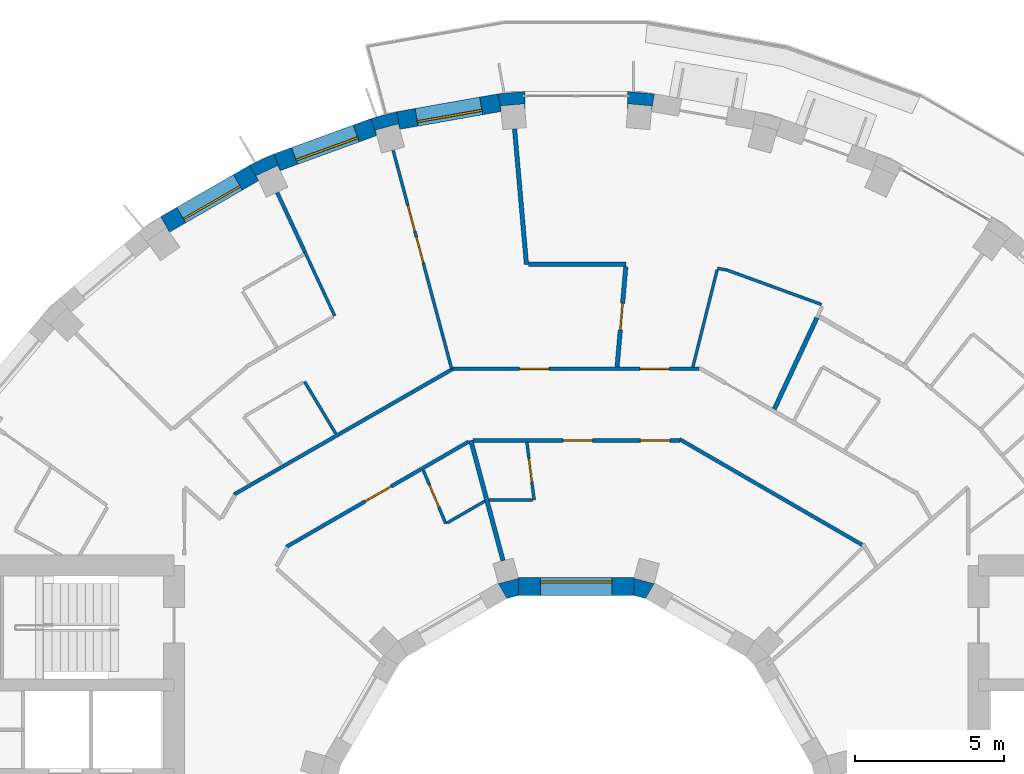
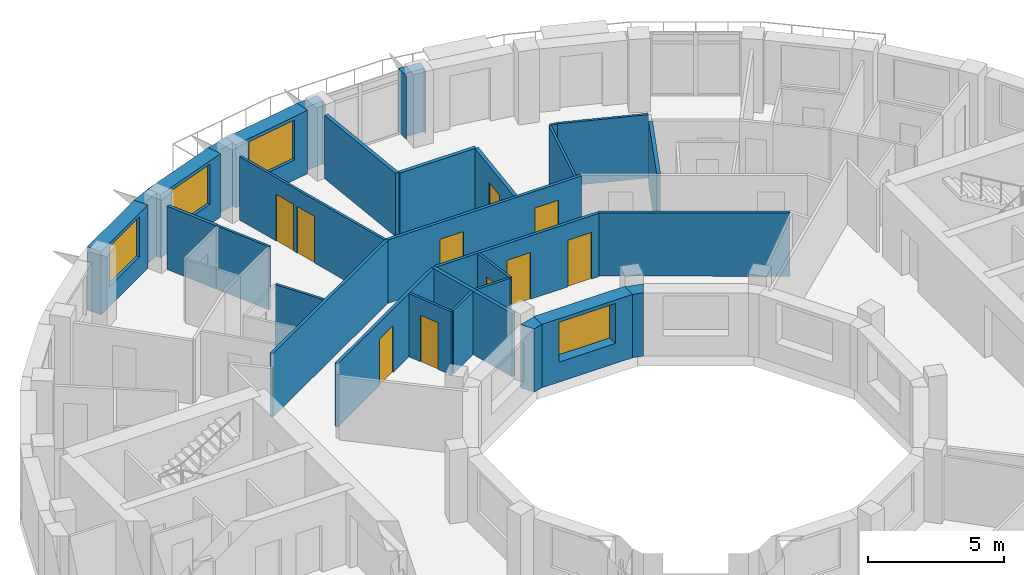
# One storey, part 10 of 13: 31 walls, 10 doors, 4 windows, 14 openings.
"""IFC4 building model written with IfcOpenShell, lengths in metres."""

from ifc_helpers import new_model, si_unit, direction, frame, frame_2d, origin, place, context, subcontext, project, spatial, polyline, rectangle, outline, extrude, material, layer, layer_set, type_object, element, fill, save


model = new_model("IFC4")

# Units and contexts
model_context = context("Model", 3, precision=1e-05, world=origin(), true_north=direction((0.0, 1.0)))
body_context = subcontext(model_context, "Body", "Model", "MODEL_VIEW")
ifc_project = project(units=[si_unit("LENGTHUNIT", "METRE"), si_unit("AREAUNIT", "SQUARE_METRE"), si_unit("VOLUMEUNIT", "CUBIC_METRE"), si_unit("PLANEANGLEUNIT", "RADIAN"), si_unit("MASSUNIT", "GRAM", prefix="KILO")], contexts=[model_context])

# Site, building, storey
site_placement = place(None, origin())
site = spatial("IfcSite", under=ifc_project, at=site_placement, CompositionType="ELEMENT")
building_placement = place(site_placement, origin())
building = spatial("IfcBuilding", under=site, at=building_placement, Name="Saqina Gate Tower", CompositionType="ELEMENT")
storey_placement = place(building_placement, frame((0.0, 0.0, 207.0)))
storey = spatial("IfcBuildingStorey", under=building, at=storey_placement, Name="L59", CompositionType="ELEMENT", Elevation=207.0)

# Walls
ifc_material_1 = material(Name="Brick masonry (buff)", Category="masonry")
wall_type_1 = type_object("IfcWallType", Name="BRICK PIER COPING BUFF", PredefinedType="SOLIDWALL", material=ifc_material_1)
wall_1_placement = place(storey_placement, origin())
element("IfcWall", 1, at=wall_1_placement, inside=storey, type_object=wall_type_1, Name="Pier cap L59 column 9", PredefinedType="SOLIDWALL", context=body_context, shape_type="SweptSolid", body=[
    extrude(outline(polyline([(2.6259765625, 24.825927734375), (1.724853515625, 24.90478515625), (1.724853515625, 24.304931640625), (1.7412109375, 24.491455078125), (2.5380859375, 24.421630859375), (2.521728515625, 24.235107421875), (2.6259765625, 24.825927734375)])), origin(), (0.0, 0.0, 1.0), 2.85009765625),
])
wall_2_placement = place(storey_placement, origin())
element("IfcWall", 2, at=wall_2_placement, inside=storey, type_object=wall_type_1, Name="Pier cap L59 column 10", PredefinedType="SOLIDWALL", context=body_context, shape_type="SweptSolid", body=[
    extrude(outline(polyline([(-1.724853515625, 24.90478515625), (-2.6259765625, 24.825927734375), (-2.521728515625, 24.235107421875), (-2.5380859375, 24.421630859375), (-1.7412109375, 24.491455078125), (-1.724853515625, 24.304931640625), (-1.724853515625, 24.90478515625)])), origin(), (0.0, 0.0, 1.0), 2.85009765625),
])
wall_3_placement = place(storey_placement, origin())
element("IfcWall", 3, at=wall_3_placement, inside=storey, type_object=wall_type_1, Name="Pier cap L59 column 11", PredefinedType="SOLIDWALL", context=body_context, shape_type="SweptSolid", body=[
    extrude(outline(polyline([(-6.0234375, 24.22705078125), (-6.897216796875, 23.992919921875), (-6.69189453125, 23.428955078125), (-6.740478515625, 23.610107421875), (-5.967529296875, 23.81689453125), (-5.919189453125, 23.635986328125), (-6.0234375, 24.22705078125)])), origin(), (0.0, 0.0, 1.0), 2.85009765625),
])
wall_4_placement = place(storey_placement, origin())
element("IfcWall", 4, at=wall_4_placement, inside=storey, type_object=wall_type_1, Name="Pier cap L59 column 12", PredefinedType="SOLIDWALL", context=body_context, shape_type="SweptSolid", body=[
    extrude(outline(polyline([(-10.958740234375, 22.4306640625), (-10.65869140625, 21.9111328125), (-10.73779296875, 22.080810546875), (-10.0126953125, 22.4189453125), (-9.93359375, 22.249267578125), (-10.138916015625, 22.81298828125), (-10.958740234375, 22.4306640625)])), origin(), (0.0, 0.0, 1.0), 2.85009765625),
])

# Wall, opening, window
ifc_material_2 = material(Name="Brick masonry (buff)", Category="masonry")
ifc_layer_1 = layer(ifc_material_2, 0.60009765625)
ifc_layer_set_1 = layer_set([ifc_layer_1], Name="FW-BRICK-BUFF")
wall_type_2 = type_object("IfcWallType", Name="FW-BRICK-BUFF", PredefinedType="SOLIDWALL", material=ifc_layer_set_1)
wall_5_placement = place(storey_placement, frame((-2.573974609375, 24.530517578125, 0.0), z_axis=(0.0, 0.0, 1.0), x_axis=(-0.984814892183, -0.173607684551, 0.0)))
wall_5 = element("IfcWall", 5, at=wall_5_placement, inside=storey, type_object=wall_type_2, Name="Facade wall L59 facet 10", PredefinedType="SOLIDWALL", context=body_context, shape_type="SweptSolid", body=[
    extrude(rectangle(XDim=3.44970703125, YDim=0.60009765625, at=frame_2d((1.724853515625, 0.0))), origin(), (0.0, 0.0, 1.0), 2.85009765625),
])
opening_1_placement = place(wall_5_placement, frame((0.625, 0.0, 0.89990234375)))
opening_1 = element("IfcOpeningElement", 6, at=opening_1_placement, cuts=wall_5, Name="Opening G17-W04", PredefinedType="OPENING", context=body_context, shape_type="SweptSolid", body=[
    extrude(rectangle(XDim=2.199951171875, YDim=1.800048828125, at=frame_2d((1.10009765625, 0.89990234375))), frame((0.0, 0.31201171875, 0.0), z_axis=(0.0, -1.0, 0.0), x_axis=(1.0, 0.0, 0.0)), (0.0, 0.0, 1.0), 0.6240234375),
])
ifc_material_3 = material(Name="Aluminium glazing", Category="aluminium")
window_type_1 = type_object("IfcWindowType", Name="WN-C", PartitioningType="SINGLE_PANEL", PredefinedType="WINDOW", material=ifc_material_3)
window_1_placement = place(opening_1_placement, origin())
window_1 = element("IfcWindow", 7, at=window_1_placement, inside=storey, type_object=window_type_1, Name="Window L59 facet 10", OverallHeight=1.800048828125, OverallWidth=2.199951171875, PartitioningType="SINGLE_PANEL", PredefinedType="WINDOW", context=body_context, shape_type="SweptSolid", body=[
    extrude(rectangle(XDim=2.199951171875, YDim=1.800048828125, at=frame_2d((1.10009765625, 0.89990234375))), frame((0.0, 0.179931640625, 0.0), z_axis=(0.0, -1.0, 0.0), x_axis=(1.0, 0.0, 0.0)), (0.0, 0.0, 1.0), 0.06005859375),
])
fill(opening_1, window_1)

wall_6_placement = place(storey_placement, frame((-6.79443359375, 23.7109375, 0.0), z_axis=(0.0, 0.0, 1.0), x_axis=(-0.93968799822, -0.342032843455, 0.0)))
wall_6 = element("IfcWall", 8, at=wall_6_placement, inside=storey, type_object=wall_type_2, Name="Facade wall L59 facet 11", PredefinedType="SOLIDWALL", context=body_context, shape_type="SweptSolid", body=[
    extrude(rectangle(XDim=3.44970703125, YDim=0.60009765625, at=frame_2d((1.724853515625, 0.0))), origin(), (0.0, 0.0, 1.0), 2.85009765625),
])
opening_2_placement = place(wall_6_placement, frame((0.625, 0.0, 0.89990234375)))
opening_2 = element("IfcOpeningElement", 9, at=opening_2_placement, cuts=wall_6, Name="Opening G17-W05", PredefinedType="OPENING", context=body_context, shape_type="SweptSolid", body=[
    extrude(rectangle(XDim=2.199951171875, YDim=1.800048828125, at=frame_2d((1.10009765625, 0.89990234375))), frame((0.0, 0.31201171875, 0.0), z_axis=(0.0, -1.0, 0.0), x_axis=(1.0, 0.0, 0.0)), (0.0, 0.0, 1.0), 0.6240234375),
])
window_2_placement = place(opening_2_placement, origin())
window_2 = element("IfcWindow", 10, at=window_2_placement, inside=storey, type_object=window_type_1, Name="Window L59 facet 11", OverallHeight=1.800048828125, OverallWidth=2.199951171875, PartitioningType="SINGLE_PANEL", PredefinedType="WINDOW", context=body_context, shape_type="SweptSolid", body=[
    extrude(rectangle(XDim=2.199951171875, YDim=1.800048828125, at=frame_2d((1.10009765625, 0.89990234375))), frame((0.0, 0.179931640625, 0.0), z_axis=(0.0, -1.0, 0.0), x_axis=(1.0, 0.0, 0.0)), (0.0, 0.0, 1.0), 0.06005859375),
])
fill(opening_2, window_2)

wall_7_placement = place(storey_placement, frame((-10.80859375, 22.1708984375, 0.0), z_axis=(0.0, 0.0, 1.0), x_axis=(-0.86602648383, -0.499998129301, 0.0)))
wall_7 = element("IfcWall", 11, at=wall_7_placement, inside=storey, type_object=wall_type_2, Name="Facade wall L59 facet 12", PredefinedType="SOLIDWALL", context=body_context, shape_type="SweptSolid", body=[
    extrude(rectangle(XDim=3.44970703125, YDim=0.60009765625, at=frame_2d((1.724853515625, 0.0))), origin(), (0.0, 0.0, 1.0), 2.85009765625),
])
opening_3_placement = place(wall_7_placement, frame((0.625, 0.0, 0.89990234375)))
opening_3 = element("IfcOpeningElement", 12, at=opening_3_placement, cuts=wall_7, Name="Opening G17-W06", PredefinedType="OPENING", context=body_context, shape_type="SweptSolid", body=[
    extrude(rectangle(XDim=2.199951171875, YDim=1.800048828125, at=frame_2d((1.10009765625, 0.89990234375))), frame((0.0, 0.31201171875, 0.0), z_axis=(0.0, -1.0, 0.0), x_axis=(1.0, 0.0, 0.0)), (0.0, 0.0, 1.0), 0.6240234375),
])
window_3_placement = place(opening_3_placement, origin())
window_3 = element("IfcWindow", 13, at=window_3_placement, inside=storey, type_object=window_type_1, Name="Window L59 facet 12", OverallHeight=1.800048828125, OverallWidth=2.199951171875, PartitioningType="SINGLE_PANEL", PredefinedType="WINDOW", context=body_context, shape_type="SweptSolid", body=[
    extrude(rectangle(XDim=2.199951171875, YDim=1.800048828125, at=frame_2d((1.10009765625, 0.89990234375))), frame((0.0, 0.179931640625, 0.0), z_axis=(0.0, -1.0, 0.0), x_axis=(1.0, 0.0, 0.0)), (0.0, 0.0, 1.0), 0.06005859375),
])
fill(opening_3, window_3)

ifc_material_4 = material(Name="Glazed ceramic tile", Category="ceramic")
ifc_layer_2 = layer(ifc_material_4, 0.60009765625)
ifc_layer_set_2 = layer_set([ifc_layer_2], Name="IW-TILE")
wall_type_3 = type_object("IfcWallType", Name="IW-TILE", PredefinedType="SOLIDWALL", material=ifc_layer_set_2)
wall_8_placement = place(storey_placement, frame((1.934814453125, 8.300048828125, 0.0), z_axis=(0.0, 0.0, 1.0), x_axis=(-1.0, 0.0, 0.0)))
wall_8 = element("IfcWall", 14, at=wall_8_placement, inside=storey, type_object=wall_type_3, Name="Well wall L59 facet 3", PredefinedType="SOLIDWALL", context=body_context, shape_type="SweptSolid", body=[
    extrude(rectangle(XDim=3.86962890625, YDim=0.60009765625, at=frame_2d((1.934814453125, 0.0))), origin(), (0.0, 0.0, 1.0), 2.85009765625),
])
opening_4_placement = place(wall_8_placement, frame((0.73486328125, 0.0, 0.89990234375)))
opening_4 = element("IfcOpeningElement", 15, at=opening_4_placement, cuts=wall_8, Name="Opening G17-W25", PredefinedType="OPENING", context=body_context, shape_type="SweptSolid", body=[
    extrude(rectangle(XDim=2.39990234375, YDim=1.800048828125, at=frame_2d((1.199951171875, 0.89990234375))), frame((0.0, 0.31201171875, 0.0), z_axis=(0.0, -1.0, 0.0), x_axis=(1.0, 0.0, 0.0)), (0.0, 0.0, 1.0), 0.6240234375),
])
ifc_material_5 = material(Name="Aluminium glazing", Category="aluminium")
window_type_2 = type_object("IfcWindowType", Name="WN-W", PartitioningType="SINGLE_PANEL", PredefinedType="WINDOW", material=ifc_material_5)
window_4_placement = place(opening_4_placement, origin())
window_4 = element("IfcWindow", 16, at=window_4_placement, inside=storey, type_object=window_type_2, Name="Well window L59 facet 3", OverallHeight=1.800048828125, OverallWidth=2.39990234375, PartitioningType="SINGLE_PANEL", PredefinedType="WINDOW", context=body_context, shape_type="SweptSolid", body=[
    extrude(rectangle(XDim=2.39990234375, YDim=1.800048828125, at=frame_2d((1.199951171875, 0.89990234375))), frame((0.0, -0.119873046875, 0.0), z_axis=(0.0, -1.0, 0.0), x_axis=(1.0, 0.0, 0.0)), (0.0, 0.0, 1.0), 0.06005859375),
])
fill(opening_4, window_4)

# Wall, opening, door
ifc_material_6 = material(Name="Gypsum board on steel studs, 100 mm", Category="steel")
ifc_layer_3 = layer(ifc_material_6, 0.10009765625)
ifc_layer_set_3 = layer_set([ifc_layer_3], Name="PARTITION 100")
wall_type_4 = type_object("IfcWallType", Name="PARTITION 100", PredefinedType="PARTITIONING", material=ifc_layer_set_3)
wall_9_placement = place(storey_placement, frame((-1.65625, 13.137939453125, 0.0), z_axis=(0.0, 0.0, 1.0), x_axis=(0.124988435199, -0.992158198609, 0.0)))
wall_9 = element("IfcWall", 17, at=wall_9_placement, inside=storey, type_object=wall_type_4, Name="PARTITION PW3-02", PredefinedType="PARTITIONING", context=body_context, shape_type="SweptSolid", body=[
    extrude(rectangle(XDim=1.953369140625, YDim=0.10009765625, at=frame_2d((0.9765625, 0.0))), origin(), (0.0, 0.0, 1.0), 2.85009765625),
])
opening_5_placement = place(wall_9_placement, frame((0.54541015625, 0.0, 0.0)))
opening_5 = element("IfcOpeningElement", 18, at=opening_5_placement, cuts=wall_9, Name="Opening G17-D15", PredefinedType="OPENING", context=body_context, shape_type="SweptSolid", body=[
    extrude(rectangle(XDim=0.800048828125, YDim=2.10009765625, at=frame_2d((0.39990234375, 1.050048828125))), frame((0.0, 0.06201171875, 0.0), z_axis=(0.0, -1.0, 0.0), x_axis=(1.0, 0.0, 0.0)), (0.0, 0.0, 1.0), 0.1240234375),
])
ifc_material_7 = material(Name="Timber door leaf, 800 mm", Category="wood")
door_type_1 = type_object("IfcDoorType", Name="DOOR 800 TIMBER", OperationType="SINGLE_SWING_LEFT", PredefinedType="DOOR", material=ifc_material_7)
door_1_placement = place(opening_5_placement, origin())
door_1 = element("IfcDoor", 19, at=door_1_placement, inside=storey, type_object=door_type_1, Name="DOOR G17-D15", OperationType="SINGLE_SWING_LEFT", OverallHeight=2.10009765625, OverallWidth=0.800048828125, PredefinedType="DOOR", context=body_context, shape_type="SweptSolid", body=[
    extrude(rectangle(XDim=0.800048828125, YDim=2.10009765625, at=frame_2d((0.39990234375, 1.050048828125))), frame((0.0, 0.02490234375, 0.0), z_axis=(0.0, -1.0, 0.0), x_axis=(1.0, 0.0, 0.0)), (0.0, 0.0, 1.0), 0.050048828125),
])
fill(opening_5, door_1)

# Wall, openings, doors
wall_10_placement = place(storey_placement, frame((-6.14404296875, 22.93115234375, 0.0), z_axis=(0.0, 0.0, 1.0), x_axis=(0.258789681819, -0.965933693679, 0.0)))
wall_10 = element("IfcWall", 20, at=wall_10_placement, inside=storey, type_object=wall_type_4, Name="PARTITION PW3-03", PredefinedType="PARTITIONING", context=body_context, shape_type="SweptSolid", body=[
    extrude(rectangle(XDim=7.589599609375, YDim=0.10009765625, at=frame_2d((3.794921875, 0.0))), origin(), (0.0, 0.0, 1.0), 2.85009765625),
])
opening_6_placement = place(wall_10_placement, frame((3.016357421875, 0.0, 0.0)))
opening_6 = element("IfcOpeningElement", 21, at=opening_6_placement, cuts=wall_10, Name="Opening G17-D16", PredefinedType="OPENING", context=body_context, shape_type="SweptSolid", body=[
    extrude(rectangle(XDim=0.89990234375, YDim=2.10009765625, at=frame_2d((0.449951171875, 1.050048828125))), frame((0.0, 0.06201171875, 0.0), z_axis=(0.0, -1.0, 0.0), x_axis=(1.0, 0.0, 0.0)), (0.0, 0.0, 1.0), 0.1240234375),
])
opening_7_placement = place(wall_10_placement, frame((1.916259765625, 0.0, 0.0)))
opening_7 = element("IfcOpeningElement", 22, at=opening_7_placement, cuts=wall_10, Name="Opening G17-D17", PredefinedType="OPENING", context=body_context, shape_type="SweptSolid", body=[
    extrude(rectangle(XDim=0.89990234375, YDim=2.10009765625, at=frame_2d((0.449951171875, 1.050048828125))), frame((0.0, 0.06201171875, 0.0), z_axis=(0.0, -1.0, 0.0), x_axis=(1.0, 0.0, 0.0)), (0.0, 0.0, 1.0), 0.1240234375),
])
ifc_material_8 = material(Name="Timber door leaf, 900 mm", Category="wood")
door_type_2 = type_object("IfcDoorType", Name="DOOR 900 TIMBER", OperationType="SINGLE_SWING_LEFT", PredefinedType="DOOR", material=ifc_material_8)
door_2_placement = place(opening_6_placement, frame((0.89990234375, 0.0, 0.0), z_axis=(0.0, 0.0, 1.0), x_axis=(-1.0, 0.0, 0.0)))
door_2 = element("IfcDoor", 23, at=door_2_placement, inside=storey, type_object=door_type_2, Name="DOOR G17-D16", OperationType="SINGLE_SWING_RIGHT", OverallHeight=2.10009765625, OverallWidth=0.89990234375, PredefinedType="DOOR", context=body_context, shape_type="SweptSolid", body=[
    extrude(rectangle(XDim=0.89990234375, YDim=2.10009765625, at=frame_2d((0.449951171875, 1.050048828125))), frame((0.0, 0.02490234375, 0.0), z_axis=(0.0, -1.0, 0.0), x_axis=(1.0, 0.0, 0.0)), (0.0, 0.0, 1.0), 0.050048828125),
])
fill(opening_6, door_2)
door_3_placement = place(opening_7_placement, frame((0.89990234375, 0.0, 0.0), z_axis=(0.0, 0.0, 1.0), x_axis=(-1.0, 0.0, 0.0)))
door_3 = element("IfcDoor", 24, at=door_3_placement, inside=storey, type_object=door_type_2, Name="DOOR G17-D17", OperationType="SINGLE_SWING_RIGHT", OverallHeight=2.10009765625, OverallWidth=0.89990234375, PredefinedType="DOOR", context=body_context, shape_type="SweptSolid", body=[
    extrude(rectangle(XDim=0.89990234375, YDim=2.10009765625, at=frame_2d((0.449951171875, 1.050048828125))), frame((0.0, 0.02490234375, 0.0), z_axis=(0.0, -1.0, 0.0), x_axis=(1.0, 0.0, 0.0)), (0.0, 0.0, 1.0), 0.050048828125),
])
fill(opening_7, door_3)

# Wall, opening, door
wall_11_placement = place(storey_placement, frame((-5.134521484375, 12.2060546875, 0.0), z_axis=(0.0, 0.0, 1.0), x_axis=(0.387906100406, -0.921698897291, 0.0)))
wall_11 = element("IfcWall", 25, at=wall_11_placement, inside=storey, type_object=wall_type_4, Name="PARTITION PW3-06", PredefinedType="PARTITIONING", context=body_context, shape_type="SweptSolid", body=[
    extrude(rectangle(XDim=1.952880859375, YDim=0.10009765625, at=frame_2d((0.9765625, 0.0))), origin(), (0.0, 0.0, 1.0), 2.85009765625),
])
opening_8_placement = place(wall_11_placement, frame((0.544921875, 0.0, 0.0)))
opening_8 = element("IfcOpeningElement", 26, at=opening_8_placement, cuts=wall_11, Name="Opening G17-D18", PredefinedType="OPENING", context=body_context, shape_type="SweptSolid", body=[
    extrude(rectangle(XDim=0.800048828125, YDim=2.10009765625, at=frame_2d((0.39990234375, 1.050048828125))), frame((0.0, 0.06201171875, 0.0), z_axis=(0.0, -1.0, 0.0), x_axis=(1.0, 0.0, 0.0)), (0.0, 0.0, 1.0), 0.1240234375),
])
door_4_placement = place(opening_8_placement, frame((0.800048828125, 0.0, 0.0), z_axis=(0.0, 0.0, 1.0), x_axis=(-1.0, 0.0, 0.0)))
door_4 = element("IfcDoor", 27, at=door_4_placement, inside=storey, type_object=door_type_1, Name="DOOR G17-D18", OperationType="SINGLE_SWING_RIGHT", OverallHeight=2.10009765625, OverallWidth=0.800048828125, PredefinedType="DOOR", context=body_context, shape_type="SweptSolid", body=[
    extrude(rectangle(XDim=0.800048828125, YDim=2.10009765625, at=frame_2d((0.39990234375, 1.050048828125))), frame((0.0, 0.02490234375, 0.0), z_axis=(0.0, -1.0, 0.0), x_axis=(1.0, 0.0, 0.0)), (0.0, 0.0, 1.0), 0.050048828125),
])
fill(opening_8, door_4)

# Walls
wall_12_placement = place(storey_placement, frame((-9.1025390625, 19.51904296875, 0.0), z_axis=(0.0, 0.0, 1.0), x_axis=(0.422834478158, -0.906206932263, 0.0)))
element("IfcWall", 28, at=wall_12_placement, inside=storey, type_object=wall_type_4, Name="PARTITION PW3-08", PredefinedType="PARTITIONING", context=body_context, shape_type="SweptSolid", body=[
    extrude(rectangle(XDim=2.359130859375, YDim=0.10009765625, at=frame_2d((1.1796875, 0.0))), origin(), (0.0, 0.0, 1.0), 2.85009765625),
])
wall_13_placement = place(storey_placement, frame((-9.114990234375, 15.171142578125, 0.0), z_axis=(0.0, 0.0, 1.0), x_axis=(0.514495755428, -0.857492925713, 0.0)))
element("IfcWall", 29, at=wall_13_placement, inside=storey, type_object=wall_type_4, Name="PARTITION PW3-11", PredefinedType="PARTITIONING", context=body_context, shape_type="SweptSolid", body=[
    extrude(rectangle(XDim=2.031494140625, YDim=0.10009765625, at=frame_2d((1.015625, 0.0))), origin(), (0.0, 0.0, 1.0), 2.85009765625),
])
wall_14_placement = place(storey_placement, frame((5.020263671875, 18.9296875, 0.0), z_axis=(0.0, 0.0, 1.0), x_axis=(0.939619985891, -0.342219640165, 0.0)))
element("IfcWall", 30, at=wall_14_placement, inside=storey, type_object=wall_type_4, Name="PARTITION PW3-33", PredefinedType="PARTITIONING", context=body_context, shape_type="SweptSolid", body=[
    extrude(rectangle(XDim=3.41357421875, YDim=0.10009765625, at=frame_2d((1.706787109375, 0.0))), origin(), (0.0, 0.0, 1.0), 2.85009765625),
])
wall_15_placement = place(storey_placement, frame((4.739013671875, 18.97021484375, 0.0), z_axis=(0.0, 0.0, 1.0), x_axis=(0.984670903861, -0.174422507403, 0.0)))
element("IfcWall", 31, at=wall_15_placement, inside=storey, type_object=wall_type_4, Name="PARTITION PW3-34", PredefinedType="PARTITIONING", context=body_context, shape_type="SweptSolid", body=[
    extrude(rectangle(XDim=0.2841796875, YDim=0.10009765625, at=frame_2d((0.14208984375, 0.0))), origin(), (0.0, 0.0, 1.0), 2.85009765625),
])
wall_16_placement = place(storey_placement, frame((-2.926025390625, 11.199951171875, 0.0), z_axis=(0.0, 0.0, 1.0), x_axis=(1.0, 0.0, 0.0)))
element("IfcWall", 32, at=wall_16_placement, inside=storey, type_object=wall_type_4, Name="PARTITION PW3-38", PredefinedType="PARTITIONING", context=body_context, shape_type="SweptSolid", body=[
    extrude(rectangle(XDim=1.464111328125, YDim=0.10009765625, at=frame_2d((0.73193359375, 0.0))), origin(), (0.0, 0.0, 1.0), 2.85009765625),
])
wall_17_placement = place(storey_placement, frame((-4.333740234375, 10.430908203125, 0.0), z_axis=(0.0, 0.0, 1.0), x_axis=(0.866110606688, 0.499852395195, 0.0)))
element("IfcWall", 33, at=wall_17_placement, inside=storey, type_object=wall_type_4, Name="PARTITION PW3-43", PredefinedType="PARTITIONING", context=body_context, shape_type="SweptSolid", body=[
    extrude(rectangle(XDim=1.4638671875, YDim=0.10009765625, at=frame_2d((0.73193359375, 0.0))), origin(), (0.0, 0.0, 1.0), 2.85009765625),
])
wall_18_placement = place(storey_placement, frame((3.912109375, 15.66064453125, 0.0), z_axis=(0.0, 0.0, 1.0), x_axis=(0.24239884799, 0.970176684163, 0.0)))
element("IfcWall", 34, at=wall_18_placement, inside=storey, type_object=wall_type_4, Name="PARTITION PW3-65", PredefinedType="PARTITIONING", context=body_context, shape_type="SweptSolid", body=[
    extrude(rectangle(XDim=3.35986328125, YDim=0.10009765625, at=frame_2d((1.679931640625, 0.0))), origin(), (0.0, 0.0, 1.0), 2.85009765625),
])
ifc_material_9 = material(Name="Gypsum board on steel studs, 125 mm, fire rated", Category="steel")
ifc_layer_4 = layer(ifc_material_9, 0.125)
ifc_layer_set_4 = layer_set([ifc_layer_4], Name="PARTITION EI 30 125")
wall_type_5 = type_object("IfcWallType", Name="PARTITION EI 30 125", PredefinedType="PARTITIONING", material=ifc_layer_set_4)
wall_19_placement = place(storey_placement, frame((-10.033203125, 21.515625, 0.0), z_axis=(0.0, 0.0, 1.0), x_axis=(0.422709503006, -0.906265234944, 0.0)))
element("IfcWall", 35, at=wall_19_placement, inside=storey, type_object=wall_type_5, Name="PARTITION PW1-01", PredefinedType="PARTITIONING", context=body_context, shape_type="SweptSolid", body=[
    extrude(rectangle(XDim=2.202880859375, YDim=0.125, at=frame_2d((1.1015625, 0.0))), origin(), (0.0, 0.0, 1.0), 2.85009765625),
])
wall_20_placement = place(storey_placement, frame((3.474609375, 13.236083984375, 0.0), z_axis=(0.0, 0.0, 1.0), x_axis=(0.865567882145, -0.500791614745, 0.0)))
element("IfcWall", 36, at=wall_20_placement, inside=storey, type_object=wall_type_5, Name="PARTITION PW1-15", PredefinedType="PARTITIONING", context=body_context, shape_type="SweptSolid", body=[
    extrude(rectangle(XDim=7.0810546875, YDim=0.125, at=frame_2d((3.54052734375, 0.0))), origin(), (0.0, 0.0, 1.0), 2.85009765625),
])

# Wall, openings, doors
wall_21_placement = place(storey_placement, frame((-3.4619140625, 13.199951171875, 0.0), z_axis=(0.0, 0.0, 1.0), x_axis=(1.0, 0.0, 0.0)))
wall_21 = element("IfcWall", 37, at=wall_21_placement, inside=storey, type_object=wall_type_5, Name="PARTITION PW1-23", PredefinedType="PARTITIONING", context=body_context, shape_type="SweptSolid", body=[
    extrude(rectangle(XDim=6.9365234375, YDim=0.125, at=frame_2d((3.46826171875, 0.0))), origin(), (0.0, 0.0, 1.0), 2.85009765625),
])
opening_9_placement = place(wall_21_placement, frame((5.614013671875, 0.0, 0.0)))
opening_9 = element("IfcOpeningElement", 38, at=opening_9_placement, cuts=wall_21, Name="Opening G17-D10", PredefinedType="OPENING", context=body_context, shape_type="SweptSolid", body=[
    extrude(rectangle(XDim=1.0, YDim=2.10009765625, at=frame_2d((0.5, 1.050048828125))), frame((0.0, 0.074462890625, 0.0), z_axis=(0.0, -1.0, 0.0), x_axis=(1.0, 0.0, 0.0)), (0.0, 0.0, 1.0), 0.14892578125),
])
opening_10_placement = place(wall_21_placement, frame((3.012939453125, 0.0, 0.0)))
opening_10 = element("IfcOpeningElement", 39, at=opening_10_placement, cuts=wall_21, Name="Opening G17-D13", PredefinedType="OPENING", context=body_context, shape_type="SweptSolid", body=[
    extrude(rectangle(XDim=1.0, YDim=2.10009765625, at=frame_2d((0.5, 1.050048828125))), frame((0.0, 0.074462890625, 0.0), z_axis=(0.0, -1.0, 0.0), x_axis=(1.0, 0.0, 0.0)), (0.0, 0.0, 1.0), 0.14892578125),
])
ifc_material_10 = material(Name="Fire door leaf EI 30, 1000 mm")
door_type_3 = type_object("IfcDoorType", Name="DOOR 1000 EI 30", OperationType="SINGLE_SWING_LEFT", PredefinedType="DOOR", material=ifc_material_10)
door_5_placement = place(opening_9_placement, frame((1.0, 0.0, 0.0), z_axis=(0.0, 0.0, 1.0), x_axis=(-1.0, 0.0, 0.0)))
door_5 = element("IfcDoor", 40, at=door_5_placement, inside=storey, type_object=door_type_3, Name="DOOR G17-D10", OperationType="SINGLE_SWING_LEFT", OverallHeight=2.10009765625, OverallWidth=1.0, PredefinedType="DOOR", context=body_context, shape_type="SweptSolid", body=[
    extrude(rectangle(XDim=1.0, YDim=2.10009765625, at=frame_2d((0.5, 1.050048828125))), frame((0.0, 0.02490234375, 0.0), z_axis=(0.0, -1.0, 0.0), x_axis=(1.0, 0.0, 0.0)), (0.0, 0.0, 1.0), 0.050048828125),
])
fill(opening_9, door_5)
door_6_placement = place(opening_10_placement, frame((1.0, 0.0, 0.0), z_axis=(0.0, 0.0, 1.0), x_axis=(-1.0, 0.0, 0.0)))
door_6 = element("IfcDoor", 41, at=door_6_placement, inside=storey, type_object=door_type_3, Name="DOOR G17-D13", OperationType="SINGLE_SWING_LEFT", OverallHeight=2.10009765625, OverallWidth=1.0, PredefinedType="DOOR", context=body_context, shape_type="SweptSolid", body=[
    extrude(rectangle(XDim=1.0, YDim=2.10009765625, at=frame_2d((0.5, 1.050048828125))), frame((0.0, 0.02490234375, 0.0), z_axis=(0.0, -1.0, 0.0), x_axis=(1.0, 0.0, 0.0)), (0.0, 0.0, 1.0), 0.050048828125),
])
fill(opening_10, door_6)

wall_22_placement = place(storey_placement, frame((-4.12890625, 15.60009765625, 0.0), z_axis=(0.0, 0.0, 1.0), x_axis=(1.0, 0.0, 0.0)))
wall_22 = element("IfcWall", 42, at=wall_22_placement, inside=storey, type_object=wall_type_5, Name="PARTITION PW1-24", PredefinedType="PARTITIONING", context=body_context, shape_type="SweptSolid", body=[
    extrude(rectangle(XDim=8.246337890625, YDim=0.125, at=frame_2d((4.123046875, 0.0))), origin(), (0.0, 0.0, 1.0), 2.85009765625),
])
opening_11_placement = place(wall_22_placement, frame((6.260009765625, 0.0, 0.0)))
opening_11 = element("IfcOpeningElement", 43, at=opening_11_placement, cuts=wall_22, Name="Opening G17-D11", PredefinedType="OPENING", context=body_context, shape_type="SweptSolid", body=[
    extrude(rectangle(XDim=1.0, YDim=2.10009765625, at=frame_2d((0.5, 1.050048828125))), frame((0.0, 0.074462890625, 0.0), z_axis=(0.0, -1.0, 0.0), x_axis=(1.0, 0.0, 0.0)), (0.0, 0.0, 1.0), 0.14892578125),
])
opening_12_placement = place(wall_22_placement, frame((2.221435546875, 0.0, 0.0)))
opening_12 = element("IfcOpeningElement", 44, at=opening_12_placement, cuts=wall_22, Name="Opening G17-D14", PredefinedType="OPENING", context=body_context, shape_type="SweptSolid", body=[
    extrude(rectangle(XDim=1.0, YDim=2.10009765625, at=frame_2d((0.5, 1.050048828125))), frame((0.0, 0.074462890625, 0.0), z_axis=(0.0, -1.0, 0.0), x_axis=(1.0, 0.0, 0.0)), (0.0, 0.0, 1.0), 0.14892578125),
])
door_7_placement = place(opening_11_placement, frame((1.0, 0.0, 0.0), z_axis=(0.0, 0.0, 1.0), x_axis=(-1.0, 0.0, 0.0)))
door_7 = element("IfcDoor", 45, at=door_7_placement, inside=storey, type_object=door_type_3, Name="DOOR G17-D11", OperationType="SINGLE_SWING_LEFT", OverallHeight=2.10009765625, OverallWidth=1.0, PredefinedType="DOOR", context=body_context, shape_type="SweptSolid", body=[
    extrude(rectangle(XDim=1.0, YDim=2.10009765625, at=frame_2d((0.5, 1.050048828125))), frame((0.0, 0.02490234375, 0.0), z_axis=(0.0, -1.0, 0.0), x_axis=(1.0, 0.0, 0.0)), (0.0, 0.0, 1.0), 0.050048828125),
])
fill(opening_11, door_7)
door_8_placement = place(opening_12_placement, origin())
door_8 = element("IfcDoor", 46, at=door_8_placement, inside=storey, type_object=door_type_3, Name="DOOR G17-D14", OperationType="SINGLE_SWING_LEFT", OverallHeight=2.10009765625, OverallWidth=1.0, PredefinedType="DOOR", context=body_context, shape_type="SweptSolid", body=[
    extrude(rectangle(XDim=1.0, YDim=2.10009765625, at=frame_2d((0.5, 1.050048828125))), frame((0.0, 0.02490234375, 0.0), z_axis=(0.0, -1.0, 0.0), x_axis=(1.0, 0.0, 0.0)), (0.0, 0.0, 1.0), 0.050048828125),
])
fill(opening_12, door_8)

# Wall
wall_23_placement = place(storey_placement, frame((-11.483642578125, 11.384521484375, 0.0), z_axis=(0.0, 0.0, 1.0), x_axis=(0.867290156456, 0.497802957519, 0.0)))
element("IfcWall", 47, at=wall_23_placement, inside=storey, type_object=wall_type_5, Name="PARTITION PW1-27", PredefinedType="PARTITIONING", context=body_context, shape_type="SweptSolid", body=[
    extrude(rectangle(XDim=8.480224609375, YDim=0.125, at=frame_2d((4.240234375, 0.0))), origin(), (0.0, 0.0, 1.0), 2.85009765625),
])

# Wall, opening, door
wall_24_placement = place(storey_placement, frame((-9.7255859375, 9.626953125, 0.0), z_axis=(0.0, 0.0, 1.0), x_axis=(0.866011939619, 0.500023319893, 0.0)))
wall_24 = element("IfcWall", 48, at=wall_24_placement, inside=storey, type_object=wall_type_5, Name="PARTITION PW1-31", PredefinedType="PARTITIONING", context=body_context, shape_type="SweptSolid", body=[
    extrude(rectangle(XDim=7.071044921875, YDim=0.125, at=frame_2d((3.53564453125, 0.0))), origin(), (0.0, 0.0, 1.0), 2.85009765625),
])
opening_13_placement = place(wall_24_placement, frame((3.0576171875, 0.0, 0.0)))
opening_13 = element("IfcOpeningElement", 49, at=opening_13_placement, cuts=wall_24, Name="Opening G17-D20", PredefinedType="OPENING", context=body_context, shape_type="SweptSolid", body=[
    extrude(rectangle(XDim=1.0, YDim=2.10009765625, at=frame_2d((0.5, 1.050048828125))), frame((0.0, 0.074462890625, 0.0), z_axis=(0.0, -1.0, 0.0), x_axis=(1.0, 0.0, 0.0)), (0.0, 0.0, 1.0), 0.14892578125),
])
door_9_placement = place(opening_13_placement, frame((1.0, 0.0, 0.0), z_axis=(0.0, 0.0, 1.0), x_axis=(-1.0, 0.0, 0.0)))
door_9 = element("IfcDoor", 50, at=door_9_placement, inside=storey, type_object=door_type_3, Name="DOOR G17-D20", OperationType="SINGLE_SWING_LEFT", OverallHeight=2.10009765625, OverallWidth=1.0, PredefinedType="DOOR", context=body_context, shape_type="SweptSolid", body=[
    extrude(rectangle(XDim=1.0, YDim=2.10009765625, at=frame_2d((0.5, 1.050048828125))), frame((0.0, 0.02490234375, 0.0), z_axis=(0.0, -1.0, 0.0), x_axis=(1.0, 0.0, 0.0)), (0.0, 0.0, 1.0), 0.050048828125),
])
fill(opening_13, door_9)

# Walls
ifc_material_11 = material(Name="Gypsum board on steel studs, 150 mm, fire rated", Category="steel")
ifc_layer_5 = layer(ifc_material_11, 0.14990234375)
ifc_layer_set_5 = layer_set([ifc_layer_5], Name="PARTITION EI 60 150")
wall_type_6 = type_object("IfcWallType", Name="PARTITION EI 60 150", PredefinedType="PARTITIONING", material=ifc_layer_set_5)
wall_25_placement = place(storey_placement, frame((-2.068603515625, 23.649658203125, 0.0), z_axis=(0.0, 0.0, 1.0), x_axis=(0.087195502411, -0.996191218772, 0.0)))
element("IfcWall", 51, at=wall_25_placement, inside=storey, type_object=wall_type_6, Name="PARTITION PW2-01", PredefinedType="PARTITIONING", context=body_context, shape_type="SweptSolid", body=[
    extrude(rectangle(XDim=4.56103515625, YDim=0.14990234375, at=frame_2d((2.280517578125, 0.0))), origin(), (0.0, 0.0, 1.0), 2.85009765625),
])
wall_26_placement = place(storey_placement, frame((-3.537109375, 13.199951171875, 0.0), z_axis=(0.0, 0.0, 1.0), x_axis=(0.258907621224, -0.965902088036, 0.0)))
element("IfcWall", 52, at=wall_26_placement, inside=storey, type_object=wall_type_6, Name="PARTITION PW2-02", PredefinedType="PARTITIONING", context=body_context, shape_type="SweptSolid", body=[
    extrude(rectangle(XDim=4.173583984375, YDim=0.14990234375, at=frame_2d((2.0869140625, 0.0))), origin(), (0.0, 0.0, 1.0), 2.85009765625),
])
wall_27_placement = place(storey_placement, frame((-1.593994140625, 19.10498046875, 0.0), z_axis=(0.0, 0.0, 1.0), x_axis=(1.0, 0.0, 0.0)))
element("IfcWall", 53, at=wall_27_placement, inside=storey, type_object=wall_type_6, Name="PARTITION PW2-04", PredefinedType="PARTITIONING", context=body_context, shape_type="SweptSolid", body=[
    extrude(rectangle(XDim=3.262939453125, YDim=0.14990234375, at=frame_2d((1.63134765625, 0.0))), origin(), (0.0, 0.0, 1.0), 2.85009765625),
])
wall_28_placement = place(storey_placement, frame((6.644775390625, 14.248779296875, 0.0), z_axis=(0.0, 0.0, 1.0), x_axis=(0.422581046751, 0.906325139741, 0.0)))
element("IfcWall", 54, at=wall_28_placement, inside=storey, type_object=wall_type_6, Name="PARTITION PW2-06", PredefinedType="PARTITIONING", context=body_context, shape_type="SweptSolid", body=[
    extrude(rectangle(XDim=3.380859375, YDim=0.14990234375, at=frame_2d((1.6904296875, 0.0))), origin(), (0.0, 0.0, 1.0), 2.85009765625),
])

# Wall, opening, door
wall_29_placement = place(storey_placement, frame((1.370361328125, 15.662353515625, 0.0), z_axis=(0.0, 0.0, 1.0), x_axis=(0.086536105046, 0.996248715193, 0.0)))
wall_29 = element("IfcWall", 55, at=wall_29_placement, inside=storey, type_object=wall_type_6, Name="PARTITION PW2-08", PredefinedType="PARTITIONING", context=body_context, shape_type="SweptSolid", body=[
    extrude(rectangle(XDim=3.3798828125, YDim=0.14990234375, at=frame_2d((1.68994140625, 0.0))), origin(), (0.0, 0.0, 1.0), 2.85009765625),
])
opening_14_placement = place(wall_29_placement, frame((1.24609375, 0.0, 0.0)))
opening_14 = element("IfcOpeningElement", 56, at=opening_14_placement, cuts=wall_29, Name="Opening G17-D12", PredefinedType="OPENING", context=body_context, shape_type="SweptSolid", body=[
    extrude(rectangle(XDim=0.89990234375, YDim=2.10009765625, at=frame_2d((0.449951171875, 1.050048828125))), frame((0.0, 0.0869140625, 0.0), z_axis=(0.0, -1.0, 0.0), x_axis=(1.0, 0.0, 0.0)), (0.0, 0.0, 1.0), 0.173828125),
])
ifc_material_12 = material(Name="Fire door leaf EI 30, 900 mm")
door_type_4 = type_object("IfcDoorType", Name="DOOR 900 EI 30", OperationType="SINGLE_SWING_LEFT", PredefinedType="DOOR", material=ifc_material_12)
door_10_placement = place(opening_14_placement, frame((0.89990234375, 0.0, 0.0), z_axis=(0.0, 0.0, 1.0), x_axis=(-1.0, 0.0, 0.0)))
door_10 = element("IfcDoor", 57, at=door_10_placement, inside=storey, type_object=door_type_4, Name="DOOR G17-D12", OperationType="SINGLE_SWING_LEFT", OverallHeight=2.10009765625, OverallWidth=0.89990234375, PredefinedType="DOOR", context=body_context, shape_type="SweptSolid", body=[
    extrude(rectangle(XDim=0.89990234375, YDim=2.10009765625, at=frame_2d((0.449951171875, 1.050048828125))), frame((0.0, 0.02490234375, 0.0), z_axis=(0.0, -1.0, 0.0), x_axis=(1.0, 0.0, 0.0)), (0.0, 0.0, 1.0), 0.050048828125),
])
fill(opening_14, door_10)

# Walls
ifc_material_13 = material(Name="Glazed ceramic tile", Category="ceramic")
wall_type_7 = type_object("IfcWallType", Name="TILE PIER COPING", PredefinedType="SOLIDWALL", material=ifc_material_13)
wall_30_placement = place(storey_placement, origin())
element("IfcWall", 58, at=wall_30_placement, inside=storey, type_object=wall_type_7, Name="Well pier cap L59 column 3", PredefinedType="SOLIDWALL", context=body_context, shape_type="SweptSolid", body=[
    extrude(outline(polyline([(1.934814453125, 8.573486328125), (1.934814453125, 8.0), (2.32421875, 7.895751953125), (2.611083984375, 8.392333984375), (1.934814453125, 8.573486328125)])), origin(), (0.0, 0.0, 1.0), 2.85009765625),
])
wall_31_placement = place(storey_placement, origin())
element("IfcWall", 59, at=wall_31_placement, inside=storey, type_object=wall_type_7, Name="Well pier cap L59 column 4", PredefinedType="SOLIDWALL", context=body_context, shape_type="SweptSolid", body=[
    extrude(outline(polyline([(-1.934814453125, 8.0), (-1.934814453125, 8.573486328125), (-2.611083984375, 8.392333984375), (-2.32421875, 7.895751953125), (-1.934814453125, 8.0)])), origin(), (0.0, 0.0, 1.0), 2.85009765625),
])

save(model, "model.ifc")
